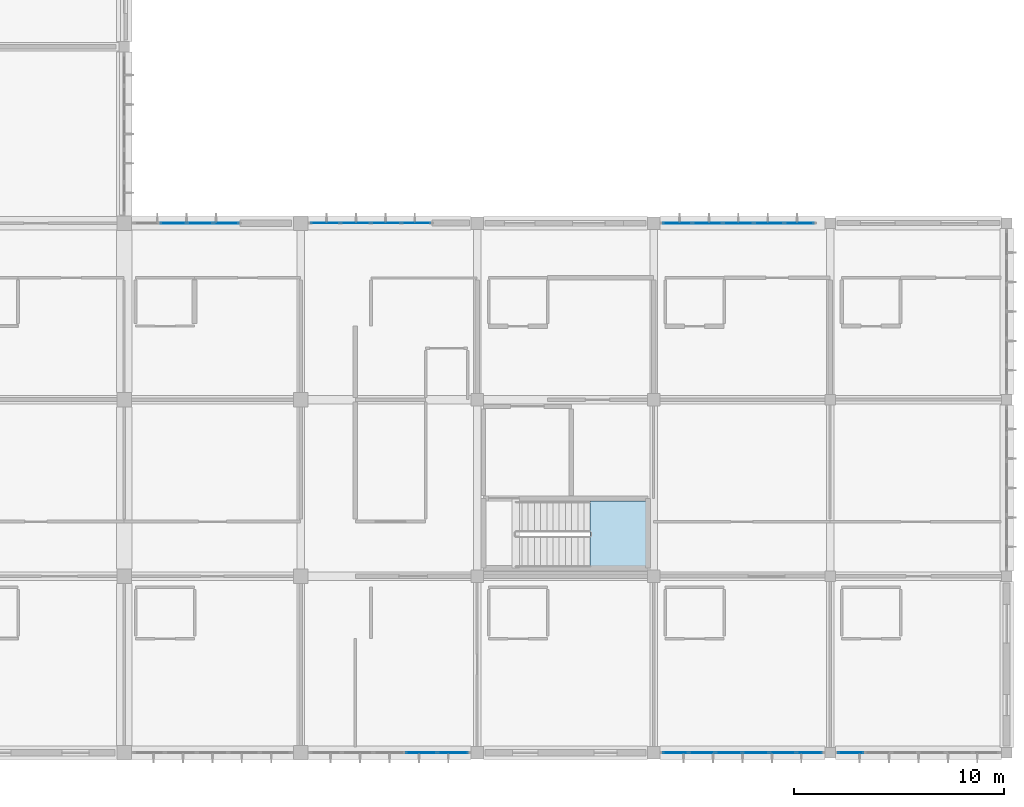
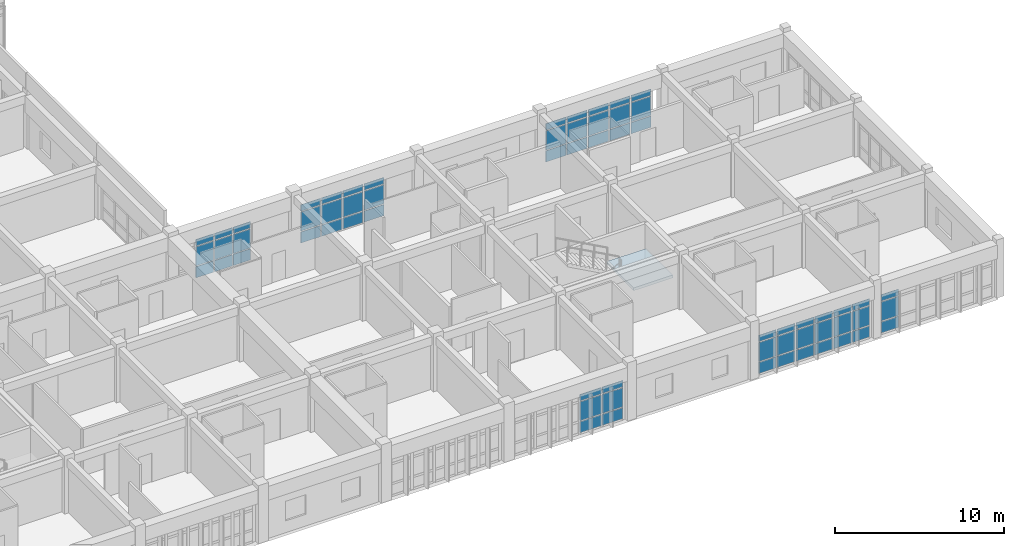
# One storey, part 69 of 119: 63 plates, 1 slab, 7 elements without a shape of their own.
"""IFC4 building model written with IfcOpenShell, lengths in metres."""

from ifc_helpers import new_model, si_unit, direction, frame, origin, origin_2d, place, context, subcontext, project, spatial, polyline, rectangle, outline, extrude, material, layer, layer_set, type_object, element, aggregate, save


model = new_model("IFC4")

# Units and contexts
model_context = context("Model", 3, precision=1e-05, world=origin(), true_north=direction((0.0, 1.0)))
body_context = subcontext(model_context, "Body", "Model", "MODEL_VIEW")
ifc_project = project(units=[si_unit("LENGTHUNIT", "METRE"), si_unit("AREAUNIT", "SQUARE_METRE"), si_unit("VOLUMEUNIT", "CUBIC_METRE"), si_unit("PLANEANGLEUNIT", "RADIAN"), si_unit("MASSUNIT", "GRAM", prefix="KILO")], contexts=[model_context])

# Site, building, storey
site_placement = place(None, origin())
site = spatial("IfcSite", under=ifc_project, at=site_placement, CompositionType="ELEMENT")
building_placement = place(site_placement, origin())
building = spatial("IfcBuilding", under=site, at=building_placement, Name="Bramfleet General Hospital", CompositionType="ELEMENT")
storey_placement = place(building_placement, frame((0.0, 0.0, 14.39990234375)))
storey = spatial("IfcBuildingStorey", under=building, at=storey_placement, Name="L03", CompositionType="ELEMENT", Elevation=14.39990234375)

# Curtain wall, plates
ifc_material_1 = material(Name="Anodised aluminium and low-E triple glazing", Category="aluminium")
ifc_layer_1 = layer(ifc_material_1, 0.179931640625, Name="CWT-CW-03")
ifc_layer_set_1 = layer_set([ifc_layer_1], Name="Anodised aluminium and low-E triple glazing")
curtain_wall_type_1 = type_object("IfcCurtainWallType", Name="CWT-CW-03", PredefinedType="USERDEFINED", material=ifc_layer_set_1)
curtain_wall_1_placement = place(storey_placement, origin())
curtain_wall_1 = element("IfcCurtainWall", 1, at=curtain_wall_1_placement, inside=storey, type_object=curtain_wall_type_1, Name="L03 Curtain Wall 165", ObjectType="Unitised curtain wall", PredefinedType="USERDEFINED")
ifc_material_2 = material(Name="Low-E laminated safety glass", Category="glass")
ifc_layer_2 = layer(ifc_material_2, 0.028076171875, Name="CWP-GLZ-1")
ifc_layer_set_2 = layer_set([ifc_layer_2], Name="Low-E laminated safety glass")
plate_type_1 = type_object("IfcPlateType", Name="CWP-GLZ-1", PredefinedType="CURTAIN_PANEL", material=ifc_layer_set_2)
plate_1_placement = place(storey_placement, frame((135.569580078125, 25.199951171875, 0.06494140625), z_axis=(0.0, 0.0, 1.0), x_axis=(1.0, 0.0, 0.0)))
plate_1 = element("IfcPlate", 2, at=plate_1_placement, type_object=plate_type_1, Name="CW-03 panel 1.1", PredefinedType="CURTAIN_PANEL", context=body_context, shape_type="SweptSolid", body=[
    extrude(rectangle(XDim=1.34912109375, YDim=0.028076171875, at=origin_2d()), origin(), (0.0, 0.0, 1.0), 0.802490234375),
])
plate_2_placement = place(storey_placement, frame((135.569580078125, 25.199951171875, 0.9326171875), z_axis=(0.0, 0.0, 1.0), x_axis=(1.0, 0.0, 0.0)))
plate_2 = element("IfcPlate", 3, at=plate_2_placement, type_object=plate_type_1, Name="CW-03 panel 1.2", PredefinedType="CURTAIN_PANEL", context=body_context, shape_type="SweptSolid", body=[
    extrude(rectangle(XDim=1.34912109375, YDim=0.028076171875, at=origin_2d()), origin(), (0.0, 0.0, 1.0), 1.375),
])
plate_3_placement = place(storey_placement, frame((135.569580078125, 25.199951171875, 2.37255859375), z_axis=(0.0, 0.0, 1.0), x_axis=(1.0, 0.0, 0.0)))
plate_3 = element("IfcPlate", 4, at=plate_3_placement, type_object=plate_type_1, Name="CW-03 panel 1.3", PredefinedType="CURTAIN_PANEL", context=body_context, shape_type="SweptSolid", body=[
    extrude(rectangle(XDim=1.34912109375, YDim=0.028076171875, at=origin_2d()), origin(), (0.0, 0.0, 1.0), 0.452392578125),
])
plate_4_placement = place(storey_placement, frame((137.006103515625, 25.199951171875, 0.06494140625), z_axis=(0.0, 0.0, 1.0), x_axis=(1.0, 0.0, 0.0)))
plate_4 = element("IfcPlate", 5, at=plate_4_placement, type_object=plate_type_1, Name="CW-03 panel 2.1", PredefinedType="CURTAIN_PANEL", context=body_context, shape_type="SweptSolid", body=[
    extrude(rectangle(XDim=1.384033203125, YDim=0.028076171875, at=origin_2d()), origin(), (0.0, 0.0, 1.0), 0.802490234375),
])
plate_5_placement = place(storey_placement, frame((137.006103515625, 25.199951171875, 0.9326171875), z_axis=(0.0, 0.0, 1.0), x_axis=(1.0, 0.0, 0.0)))
plate_5 = element("IfcPlate", 6, at=plate_5_placement, type_object=plate_type_1, Name="CW-03 panel 2.2", PredefinedType="CURTAIN_PANEL", context=body_context, shape_type="SweptSolid", body=[
    extrude(rectangle(XDim=1.384033203125, YDim=0.028076171875, at=origin_2d()), origin(), (0.0, 0.0, 1.0), 1.375),
])
plate_6_placement = place(storey_placement, frame((137.006103515625, 25.199951171875, 2.37255859375), z_axis=(0.0, 0.0, 1.0), x_axis=(1.0, 0.0, 0.0)))
plate_6 = element("IfcPlate", 7, at=plate_6_placement, type_object=plate_type_1, Name="CW-03 panel 2.3", PredefinedType="CURTAIN_PANEL", context=body_context, shape_type="SweptSolid", body=[
    extrude(rectangle(XDim=1.384033203125, YDim=0.028076171875, at=origin_2d()), origin(), (0.0, 0.0, 1.0), 0.452392578125),
])
plate_7_placement = place(storey_placement, frame((138.4599609375, 25.199951171875, 0.06494140625), z_axis=(0.0, 0.0, 1.0), x_axis=(1.0, 0.0, 0.0)))
plate_7 = element("IfcPlate", 8, at=plate_7_placement, type_object=plate_type_1, Name="CW-03 panel 3.1", PredefinedType="CURTAIN_PANEL", context=body_context, shape_type="SweptSolid", body=[
    extrude(rectangle(XDim=1.384033203125, YDim=0.028076171875, at=origin_2d()), origin(), (0.0, 0.0, 1.0), 0.802490234375),
])
plate_8_placement = place(storey_placement, frame((138.4599609375, 25.199951171875, 0.9326171875), z_axis=(0.0, 0.0, 1.0), x_axis=(1.0, 0.0, 0.0)))
plate_8 = element("IfcPlate", 9, at=plate_8_placement, type_object=plate_type_1, Name="CW-03 panel 3.2", PredefinedType="CURTAIN_PANEL", context=body_context, shape_type="SweptSolid", body=[
    extrude(rectangle(XDim=1.384033203125, YDim=0.028076171875, at=origin_2d()), origin(), (0.0, 0.0, 1.0), 1.375),
])
plate_9_placement = place(storey_placement, frame((138.4599609375, 25.199951171875, 2.37255859375), z_axis=(0.0, 0.0, 1.0), x_axis=(1.0, 0.0, 0.0)))
plate_9 = element("IfcPlate", 10, at=plate_9_placement, type_object=plate_type_1, Name="CW-03 panel 3.3", PredefinedType="CURTAIN_PANEL", context=body_context, shape_type="SweptSolid", body=[
    extrude(rectangle(XDim=1.384033203125, YDim=0.028076171875, at=origin_2d()), origin(), (0.0, 0.0, 1.0), 0.452392578125),
])
plate_10_placement = place(storey_placement, frame((139.896484375, 25.199951171875, 0.06494140625), z_axis=(0.0, 0.0, 1.0), x_axis=(1.0, 0.0, 0.0)))
plate_10 = element("IfcPlate", 11, at=plate_10_placement, type_object=plate_type_1, Name="CW-03 panel 4.1", PredefinedType="CURTAIN_PANEL", context=body_context, shape_type="SweptSolid", body=[
    extrude(rectangle(XDim=1.34912109375, YDim=0.028076171875, at=origin_2d()), origin(), (0.0, 0.0, 1.0), 0.802490234375),
])
plate_11_placement = place(storey_placement, frame((139.896484375, 25.199951171875, 0.9326171875), z_axis=(0.0, 0.0, 1.0), x_axis=(1.0, 0.0, 0.0)))
plate_11 = element("IfcPlate", 12, at=plate_11_placement, type_object=plate_type_1, Name="CW-03 panel 4.2", PredefinedType="CURTAIN_PANEL", context=body_context, shape_type="SweptSolid", body=[
    extrude(rectangle(XDim=1.34912109375, YDim=0.028076171875, at=origin_2d()), origin(), (0.0, 0.0, 1.0), 1.375),
])
plate_12_placement = place(storey_placement, frame((139.896484375, 25.199951171875, 2.37255859375), z_axis=(0.0, 0.0, 1.0), x_axis=(1.0, 0.0, 0.0)))
plate_12 = element("IfcPlate", 13, at=plate_12_placement, type_object=plate_type_1, Name="CW-03 panel 4.3", PredefinedType="CURTAIN_PANEL", context=body_context, shape_type="SweptSolid", body=[
    extrude(rectangle(XDim=1.34912109375, YDim=0.028076171875, at=origin_2d()), origin(), (0.0, 0.0, 1.0), 0.452392578125),
])
aggregate(curtain_wall_1, [plate_1, plate_2, plate_3, plate_4, plate_5, plate_6, plate_7, plate_8, plate_9, plate_10, plate_11, plate_12])

ifc_layer_3 = layer(ifc_material_1, 0.179931640625, Name="CWT-CW-07")
ifc_layer_set_3 = layer_set([ifc_layer_3], Name="Anodised aluminium and low-E triple glazing")
curtain_wall_type_2 = type_object("IfcCurtainWallType", Name="CWT-CW-07", PredefinedType="USERDEFINED", material=ifc_layer_set_3)
curtain_wall_2_placement = place(storey_placement, origin())
curtain_wall_2 = element("IfcCurtainWall", 14, at=curtain_wall_2_placement, inside=storey, type_object=curtain_wall_type_2, Name="L03 Curtain Wall 169", ObjectType="Unitised curtain wall", PredefinedType="USERDEFINED")
plate_13_placement = place(storey_placement, frame((160.58837890625, 0.0, 0.06494140625), z_axis=(0.0, 0.0, 1.0), x_axis=(-1.0, 0.0, 0.0)))
plate_13 = element("IfcPlate", 15, at=plate_13_placement, type_object=plate_type_1, Name="CW-07 panel 6.1", PredefinedType="CURTAIN_PANEL", context=body_context, shape_type="SweptSolid", body=[
    extrude(rectangle(XDim=1.186767578125, YDim=0.028076171875, at=origin_2d()), origin(), (0.0, 0.0, 1.0), 0.802490234375),
])
plate_14_placement = place(storey_placement, frame((160.58837890625, 0.0, 0.9326171875), z_axis=(0.0, 0.0, 1.0), x_axis=(-1.0, 0.0, 0.0)))
plate_14 = element("IfcPlate", 16, at=plate_14_placement, type_object=plate_type_1, Name="CW-07 panel 6.2", PredefinedType="CURTAIN_PANEL", context=body_context, shape_type="SweptSolid", body=[
    extrude(rectangle(XDim=1.186767578125, YDim=0.028076171875, at=origin_2d()), origin(), (0.0, 0.0, 1.0), 1.375),
])
plate_15_placement = place(storey_placement, frame((160.58837890625, 0.0, 2.37255859375), z_axis=(0.0, 0.0, 1.0), x_axis=(-1.0, 0.0, 0.0)))
plate_15 = element("IfcPlate", 17, at=plate_15_placement, type_object=plate_type_1, Name="CW-07 panel 6.3", PredefinedType="CURTAIN_PANEL", context=body_context, shape_type="SweptSolid", body=[
    extrude(rectangle(XDim=1.186767578125, YDim=0.028076171875, at=origin_2d()), origin(), (0.0, 0.0, 1.0), 0.452392578125),
])
aggregate(curtain_wall_2, [plate_13, plate_14, plate_15])

ifc_layer_4 = layer(ifc_material_1, 0.179931640625, Name="CWT-CW-04")
ifc_layer_set_4 = layer_set([ifc_layer_4], Name="Anodised aluminium and low-E triple glazing")
curtain_wall_type_3 = type_object("IfcCurtainWallType", Name="CWT-CW-04", PredefinedType="USERDEFINED", material=ifc_layer_set_4)
curtain_wall_3_placement = place(storey_placement, origin())
curtain_wall_3 = element("IfcCurtainWall", 18, at=curtain_wall_3_placement, inside=storey, type_object=curtain_wall_type_3, Name="L03 Curtain Wall 166", ObjectType="Unitised curtain wall", PredefinedType="USERDEFINED")
ifc_layer_5 = layer(ifc_material_2, 0.031982421875, Name="CWP-GLZ-2")
ifc_layer_set_5 = layer_set([ifc_layer_5], Name="Low-E laminated safety glass")
plate_type_2 = type_object("IfcPlateType", Name="CWP-GLZ-2", PredefinedType="CURTAIN_PANEL", material=ifc_layer_set_5)
plate_16_placement = place(storey_placement, frame((152.322998046875, 25.199951171875, 0.06494140625), z_axis=(0.0, 0.0, 1.0), x_axis=(1.0, 0.0, 0.0)))
plate_16 = element("IfcPlate", 19, at=plate_16_placement, type_object=plate_type_2, Name="CW-04 panel 1.1", PredefinedType="CURTAIN_PANEL", context=body_context, shape_type="SweptSolid", body=[
    extrude(rectangle(XDim=1.35595703125, YDim=0.031982421875, at=origin_2d()), origin(), (0.0, 0.0, 1.0), 0.802490234375),
])
plate_17_placement = place(storey_placement, frame((152.322998046875, 25.199951171875, 0.9326171875), z_axis=(0.0, 0.0, 1.0), x_axis=(1.0, 0.0, 0.0)))
plate_17 = element("IfcPlate", 20, at=plate_17_placement, type_object=plate_type_2, Name="CW-04 panel 1.2", PredefinedType="CURTAIN_PANEL", context=body_context, shape_type="SweptSolid", body=[
    extrude(rectangle(XDim=1.35595703125, YDim=0.031982421875, at=origin_2d()), origin(), (0.0, 0.0, 1.0), 1.375),
])
plate_18_placement = place(storey_placement, frame((152.322998046875, 25.199951171875, 2.37255859375), z_axis=(0.0, 0.0, 1.0), x_axis=(1.0, 0.0, 0.0)))
plate_18 = element("IfcPlate", 21, at=plate_18_placement, type_object=plate_type_2, Name="CW-04 panel 1.3", PredefinedType="CURTAIN_PANEL", context=body_context, shape_type="SweptSolid", body=[
    extrude(rectangle(XDim=1.35595703125, YDim=0.031982421875, at=origin_2d()), origin(), (0.0, 0.0, 1.0), 0.452392578125),
])
plate_19_placement = place(storey_placement, frame((153.7666015625, 25.199951171875, 0.06494140625), z_axis=(0.0, 0.0, 1.0), x_axis=(1.0, 0.0, 0.0)))
plate_19 = element("IfcPlate", 22, at=plate_19_placement, type_object=plate_type_2, Name="CW-04 panel 2.1", PredefinedType="CURTAIN_PANEL", context=body_context, shape_type="SweptSolid", body=[
    extrude(rectangle(XDim=1.39111328125, YDim=0.031982421875, at=origin_2d()), origin(), (0.0, 0.0, 1.0), 0.802490234375),
])
plate_20_placement = place(storey_placement, frame((153.7666015625, 25.199951171875, 0.9326171875), z_axis=(0.0, 0.0, 1.0), x_axis=(1.0, 0.0, 0.0)))
plate_20 = element("IfcPlate", 23, at=plate_20_placement, type_object=plate_type_2, Name="CW-04 panel 2.2", PredefinedType="CURTAIN_PANEL", context=body_context, shape_type="SweptSolid", body=[
    extrude(rectangle(XDim=1.39111328125, YDim=0.031982421875, at=origin_2d()), origin(), (0.0, 0.0, 1.0), 1.375),
])
plate_21_placement = place(storey_placement, frame((153.7666015625, 25.199951171875, 2.37255859375), z_axis=(0.0, 0.0, 1.0), x_axis=(1.0, 0.0, 0.0)))
plate_21 = element("IfcPlate", 24, at=plate_21_placement, type_object=plate_type_2, Name="CW-04 panel 2.3", PredefinedType="CURTAIN_PANEL", context=body_context, shape_type="SweptSolid", body=[
    extrude(rectangle(XDim=1.39111328125, YDim=0.031982421875, at=origin_2d()), origin(), (0.0, 0.0, 1.0), 0.452392578125),
])
plate_22_placement = place(storey_placement, frame((155.2275390625, 25.199951171875, 0.06494140625), z_axis=(0.0, 0.0, 1.0), x_axis=(1.0, 0.0, 0.0)))
plate_22 = element("IfcPlate", 25, at=plate_22_placement, type_object=plate_type_2, Name="CW-04 panel 3.1", PredefinedType="CURTAIN_PANEL", context=body_context, shape_type="SweptSolid", body=[
    extrude(rectangle(XDim=1.39111328125, YDim=0.031982421875, at=origin_2d()), origin(), (0.0, 0.0, 1.0), 0.802490234375),
])
plate_23_placement = place(storey_placement, frame((155.2275390625, 25.199951171875, 0.9326171875), z_axis=(0.0, 0.0, 1.0), x_axis=(1.0, 0.0, 0.0)))
plate_23 = element("IfcPlate", 26, at=plate_23_placement, type_object=plate_type_2, Name="CW-04 panel 3.2", PredefinedType="CURTAIN_PANEL", context=body_context, shape_type="SweptSolid", body=[
    extrude(rectangle(XDim=1.39111328125, YDim=0.031982421875, at=origin_2d()), origin(), (0.0, 0.0, 1.0), 1.375),
])
plate_24_placement = place(storey_placement, frame((155.2275390625, 25.199951171875, 2.37255859375), z_axis=(0.0, 0.0, 1.0), x_axis=(1.0, 0.0, 0.0)))
plate_24 = element("IfcPlate", 27, at=plate_24_placement, type_object=plate_type_2, Name="CW-04 panel 3.3", PredefinedType="CURTAIN_PANEL", context=body_context, shape_type="SweptSolid", body=[
    extrude(rectangle(XDim=1.39111328125, YDim=0.031982421875, at=origin_2d()), origin(), (0.0, 0.0, 1.0), 0.452392578125),
])
plate_25_placement = place(storey_placement, frame((156.6884765625, 25.199951171875, 0.06494140625), z_axis=(0.0, 0.0, 1.0), x_axis=(1.0, 0.0, 0.0)))
plate_25 = element("IfcPlate", 28, at=plate_25_placement, type_object=plate_type_2, Name="CW-04 panel 4.1", PredefinedType="CURTAIN_PANEL", context=body_context, shape_type="SweptSolid", body=[
    extrude(rectangle(XDim=1.39111328125, YDim=0.031982421875, at=origin_2d()), origin(), (0.0, 0.0, 1.0), 0.802490234375),
])
plate_26_placement = place(storey_placement, frame((156.6884765625, 25.199951171875, 0.9326171875), z_axis=(0.0, 0.0, 1.0), x_axis=(1.0, 0.0, 0.0)))
plate_26 = element("IfcPlate", 29, at=plate_26_placement, type_object=plate_type_2, Name="CW-04 panel 4.2", PredefinedType="CURTAIN_PANEL", context=body_context, shape_type="SweptSolid", body=[
    extrude(rectangle(XDim=1.39111328125, YDim=0.031982421875, at=origin_2d()), origin(), (0.0, 0.0, 1.0), 1.375),
])
plate_27_placement = place(storey_placement, frame((156.6884765625, 25.199951171875, 2.37255859375), z_axis=(0.0, 0.0, 1.0), x_axis=(1.0, 0.0, 0.0)))
plate_27 = element("IfcPlate", 30, at=plate_27_placement, type_object=plate_type_2, Name="CW-04 panel 4.3", PredefinedType="CURTAIN_PANEL", context=body_context, shape_type="SweptSolid", body=[
    extrude(rectangle(XDim=1.39111328125, YDim=0.031982421875, at=origin_2d()), origin(), (0.0, 0.0, 1.0), 0.452392578125),
])
plate_28_placement = place(storey_placement, frame((158.132080078125, 25.199951171875, 0.06494140625), z_axis=(0.0, 0.0, 1.0), x_axis=(1.0, 0.0, 0.0)))
plate_28 = element("IfcPlate", 31, at=plate_28_placement, type_object=plate_type_2, Name="CW-04 panel 5.1", PredefinedType="CURTAIN_PANEL", context=body_context, shape_type="SweptSolid", body=[
    extrude(rectangle(XDim=1.35595703125, YDim=0.031982421875, at=origin_2d()), origin(), (0.0, 0.0, 1.0), 0.802490234375),
])
plate_29_placement = place(storey_placement, frame((158.132080078125, 25.199951171875, 0.9326171875), z_axis=(0.0, 0.0, 1.0), x_axis=(1.0, 0.0, 0.0)))
plate_29 = element("IfcPlate", 32, at=plate_29_placement, type_object=plate_type_2, Name="CW-04 panel 5.2", PredefinedType="CURTAIN_PANEL", context=body_context, shape_type="SweptSolid", body=[
    extrude(rectangle(XDim=1.35595703125, YDim=0.031982421875, at=origin_2d()), origin(), (0.0, 0.0, 1.0), 1.375),
])
plate_30_placement = place(storey_placement, frame((158.132080078125, 25.199951171875, 2.37255859375), z_axis=(0.0, 0.0, 1.0), x_axis=(1.0, 0.0, 0.0)))
plate_30 = element("IfcPlate", 33, at=plate_30_placement, type_object=plate_type_2, Name="CW-04 panel 5.3", PredefinedType="CURTAIN_PANEL", context=body_context, shape_type="SweptSolid", body=[
    extrude(rectangle(XDim=1.35595703125, YDim=0.031982421875, at=origin_2d()), origin(), (0.0, 0.0, 1.0), 0.452392578125),
])
aggregate(curtain_wall_3, [plate_16, plate_17, plate_18, plate_19, plate_20, plate_21, plate_22, plate_23, plate_24, plate_25, plate_26, plate_27, plate_28, plate_29, plate_30])

ifc_layer_6 = layer(ifc_material_1, 0.179931640625, Name="CWT-CW-08")
ifc_layer_set_6 = layer_set([ifc_layer_6], Name="Anodised aluminium and low-E triple glazing")
curtain_wall_type_4 = type_object("IfcCurtainWallType", Name="CWT-CW-08", PredefinedType="USERDEFINED", material=ifc_layer_set_6)
curtain_wall_4_placement = place(storey_placement, origin())
curtain_wall_4 = element("IfcCurtainWall", 34, at=curtain_wall_4_placement, inside=storey, type_object=curtain_wall_type_4, Name="L03 Curtain Wall 170", ObjectType="Unitised curtain wall", PredefinedType="USERDEFINED")
plate_31_placement = place(storey_placement, frame((158.61572265625, 0.0, 0.06494140625), z_axis=(0.0, 0.0, 1.0), x_axis=(-1.0, 0.0, 0.0)))
plate_31 = element("IfcPlate", 35, at=plate_31_placement, type_object=plate_type_2, Name="CW-08 panel 1.1", PredefinedType="CURTAIN_PANEL", context=body_context, shape_type="SweptSolid", body=[
    extrude(rectangle(XDim=1.17822265625, YDim=0.031982421875, at=origin_2d()), origin(), (0.0, 0.0, 1.0), 0.802490234375),
])
plate_32_placement = place(storey_placement, frame((158.61572265625, 0.0, 0.9326171875), z_axis=(0.0, 0.0, 1.0), x_axis=(-1.0, 0.0, 0.0)))
plate_32 = element("IfcPlate", 36, at=plate_32_placement, type_object=plate_type_2, Name="CW-08 panel 1.2", PredefinedType="CURTAIN_PANEL", context=body_context, shape_type="SweptSolid", body=[
    extrude(rectangle(XDim=1.17822265625, YDim=0.031982421875, at=origin_2d()), origin(), (0.0, 0.0, 1.0), 1.375),
])
plate_33_placement = place(storey_placement, frame((158.61572265625, 0.0, 2.37255859375), z_axis=(0.0, 0.0, 1.0), x_axis=(-1.0, 0.0, 0.0)))
plate_33 = element("IfcPlate", 37, at=plate_33_placement, type_object=plate_type_2, Name="CW-08 panel 1.3", PredefinedType="CURTAIN_PANEL", context=body_context, shape_type="SweptSolid", body=[
    extrude(rectangle(XDim=1.17822265625, YDim=0.031982421875, at=origin_2d()), origin(), (0.0, 0.0, 1.0), 0.452392578125),
])
plate_34_placement = place(storey_placement, frame((157.35009765625, 0.0, 0.06494140625), z_axis=(0.0, 0.0, 1.0), x_axis=(-1.0, 0.0, 0.0)))
plate_34 = element("IfcPlate", 38, at=plate_34_placement, type_object=plate_type_2, Name="CW-08 panel 2.1", PredefinedType="CURTAIN_PANEL", context=body_context, shape_type="SweptSolid", body=[
    extrude(rectangle(XDim=1.21337890625, YDim=0.031982421875, at=origin_2d()), origin(), (0.0, 0.0, 1.0), 0.802490234375),
])
plate_35_placement = place(storey_placement, frame((157.35009765625, 0.0, 0.9326171875), z_axis=(0.0, 0.0, 1.0), x_axis=(-1.0, 0.0, 0.0)))
plate_35 = element("IfcPlate", 39, at=plate_35_placement, type_object=plate_type_2, Name="CW-08 panel 2.2", PredefinedType="CURTAIN_PANEL", context=body_context, shape_type="SweptSolid", body=[
    extrude(rectangle(XDim=1.21337890625, YDim=0.031982421875, at=origin_2d()), origin(), (0.0, 0.0, 1.0), 1.375),
])
plate_36_placement = place(storey_placement, frame((157.35009765625, 0.0, 2.37255859375), z_axis=(0.0, 0.0, 1.0), x_axis=(-1.0, 0.0, 0.0)))
plate_36 = element("IfcPlate", 40, at=plate_36_placement, type_object=plate_type_2, Name="CW-08 panel 2.3", PredefinedType="CURTAIN_PANEL", context=body_context, shape_type="SweptSolid", body=[
    extrude(rectangle(XDim=1.21337890625, YDim=0.031982421875, at=origin_2d()), origin(), (0.0, 0.0, 1.0), 0.452392578125),
])
plate_37_placement = place(storey_placement, frame((156.066650390625, 0.0, 0.06494140625), z_axis=(0.0, 0.0, 1.0), x_axis=(-1.0, 0.0, 0.0)))
plate_37 = element("IfcPlate", 41, at=plate_37_placement, type_object=plate_type_2, Name="CW-08 panel 3.1", PredefinedType="CURTAIN_PANEL", context=body_context, shape_type="SweptSolid", body=[
    extrude(rectangle(XDim=1.21337890625, YDim=0.031982421875, at=origin_2d()), origin(), (0.0, 0.0, 1.0), 0.802490234375),
])
plate_38_placement = place(storey_placement, frame((156.066650390625, 0.0, 0.9326171875), z_axis=(0.0, 0.0, 1.0), x_axis=(-1.0, 0.0, 0.0)))
plate_38 = element("IfcPlate", 42, at=plate_38_placement, type_object=plate_type_2, Name="CW-08 panel 3.2", PredefinedType="CURTAIN_PANEL", context=body_context, shape_type="SweptSolid", body=[
    extrude(rectangle(XDim=1.21337890625, YDim=0.031982421875, at=origin_2d()), origin(), (0.0, 0.0, 1.0), 1.375),
])
plate_39_placement = place(storey_placement, frame((156.066650390625, 0.0, 2.37255859375), z_axis=(0.0, 0.0, 1.0), x_axis=(-1.0, 0.0, 0.0)))
plate_39 = element("IfcPlate", 43, at=plate_39_placement, type_object=plate_type_2, Name="CW-08 panel 3.3", PredefinedType="CURTAIN_PANEL", context=body_context, shape_type="SweptSolid", body=[
    extrude(rectangle(XDim=1.21337890625, YDim=0.031982421875, at=origin_2d()), origin(), (0.0, 0.0, 1.0), 0.452392578125),
])
plate_40_placement = place(storey_placement, frame((154.783447265625, 0.0, 0.06494140625), z_axis=(0.0, 0.0, 1.0), x_axis=(-1.0, 0.0, 0.0)))
plate_40 = element("IfcPlate", 44, at=plate_40_placement, type_object=plate_type_2, Name="CW-08 panel 4.1", PredefinedType="CURTAIN_PANEL", context=body_context, shape_type="SweptSolid", body=[
    extrude(rectangle(XDim=1.21337890625, YDim=0.031982421875, at=origin_2d()), origin(), (0.0, 0.0, 1.0), 0.802490234375),
])
plate_41_placement = place(storey_placement, frame((154.783447265625, 0.0, 0.9326171875), z_axis=(0.0, 0.0, 1.0), x_axis=(-1.0, 0.0, 0.0)))
plate_41 = element("IfcPlate", 45, at=plate_41_placement, type_object=plate_type_2, Name="CW-08 panel 4.2", PredefinedType="CURTAIN_PANEL", context=body_context, shape_type="SweptSolid", body=[
    extrude(rectangle(XDim=1.21337890625, YDim=0.031982421875, at=origin_2d()), origin(), (0.0, 0.0, 1.0), 1.375),
])
plate_42_placement = place(storey_placement, frame((154.783447265625, 0.0, 2.37255859375), z_axis=(0.0, 0.0, 1.0), x_axis=(-1.0, 0.0, 0.0)))
plate_42 = element("IfcPlate", 46, at=plate_42_placement, type_object=plate_type_2, Name="CW-08 panel 4.3", PredefinedType="CURTAIN_PANEL", context=body_context, shape_type="SweptSolid", body=[
    extrude(rectangle(XDim=1.21337890625, YDim=0.031982421875, at=origin_2d()), origin(), (0.0, 0.0, 1.0), 0.452392578125),
])
plate_43_placement = place(storey_placement, frame((153.5, 0.0, 0.06494140625), z_axis=(0.0, 0.0, 1.0), x_axis=(-1.0, 0.0, 0.0)))
plate_43 = element("IfcPlate", 47, at=plate_43_placement, type_object=plate_type_2, Name="CW-08 panel 5.1", PredefinedType="CURTAIN_PANEL", context=body_context, shape_type="SweptSolid", body=[
    extrude(rectangle(XDim=1.21337890625, YDim=0.031982421875, at=origin_2d()), origin(), (0.0, 0.0, 1.0), 0.802490234375),
])
plate_44_placement = place(storey_placement, frame((153.5, 0.0, 0.9326171875), z_axis=(0.0, 0.0, 1.0), x_axis=(-1.0, 0.0, 0.0)))
plate_44 = element("IfcPlate", 48, at=plate_44_placement, type_object=plate_type_2, Name="CW-08 panel 5.2", PredefinedType="CURTAIN_PANEL", context=body_context, shape_type="SweptSolid", body=[
    extrude(rectangle(XDim=1.21337890625, YDim=0.031982421875, at=origin_2d()), origin(), (0.0, 0.0, 1.0), 1.375),
])
plate_45_placement = place(storey_placement, frame((153.5, 0.0, 2.37255859375), z_axis=(0.0, 0.0, 1.0), x_axis=(-1.0, 0.0, 0.0)))
plate_45 = element("IfcPlate", 49, at=plate_45_placement, type_object=plate_type_2, Name="CW-08 panel 5.3", PredefinedType="CURTAIN_PANEL", context=body_context, shape_type="SweptSolid", body=[
    extrude(rectangle(XDim=1.21337890625, YDim=0.031982421875, at=origin_2d()), origin(), (0.0, 0.0, 1.0), 0.452392578125),
])
plate_46_placement = place(storey_placement, frame((152.234130859375, 0.0, 0.06494140625), z_axis=(0.0, 0.0, 1.0), x_axis=(-1.0, 0.0, 0.0)))
plate_46 = element("IfcPlate", 50, at=plate_46_placement, type_object=plate_type_2, Name="CW-08 panel 6.1", PredefinedType="CURTAIN_PANEL", context=body_context, shape_type="SweptSolid", body=[
    extrude(rectangle(XDim=1.17822265625, YDim=0.031982421875, at=origin_2d()), origin(), (0.0, 0.0, 1.0), 0.802490234375),
])
plate_47_placement = place(storey_placement, frame((152.234130859375, 0.0, 0.9326171875), z_axis=(0.0, 0.0, 1.0), x_axis=(-1.0, 0.0, 0.0)))
plate_47 = element("IfcPlate", 51, at=plate_47_placement, type_object=plate_type_2, Name="CW-08 panel 6.2", PredefinedType="CURTAIN_PANEL", context=body_context, shape_type="SweptSolid", body=[
    extrude(rectangle(XDim=1.17822265625, YDim=0.031982421875, at=origin_2d()), origin(), (0.0, 0.0, 1.0), 1.375),
])
plate_48_placement = place(storey_placement, frame((152.234130859375, 0.0, 2.37255859375), z_axis=(0.0, 0.0, 1.0), x_axis=(-1.0, 0.0, 0.0)))
plate_48 = element("IfcPlate", 52, at=plate_48_placement, type_object=plate_type_2, Name="CW-08 panel 6.3", PredefinedType="CURTAIN_PANEL", context=body_context, shape_type="SweptSolid", body=[
    extrude(rectangle(XDim=1.17822265625, YDim=0.031982421875, at=origin_2d()), origin(), (0.0, 0.0, 1.0), 0.452392578125),
])
aggregate(curtain_wall_4, [plate_31, plate_32, plate_33, plate_34, plate_35, plate_36, plate_37, plate_38, plate_39, plate_40, plate_41, plate_42, plate_43, plate_44, plate_45, plate_46, plate_47, plate_48])

ifc_layer_7 = layer(ifc_material_1, 0.179931640625, Name="CWT-CW-09")
ifc_layer_set_7 = layer_set([ifc_layer_7], Name="Anodised aluminium and low-E triple glazing")
curtain_wall_type_5 = type_object("IfcCurtainWallType", Name="CWT-CW-09", PredefinedType="USERDEFINED", material=ifc_layer_set_7)
curtain_wall_5_placement = place(storey_placement, origin())
curtain_wall_5 = element("IfcCurtainWall", 53, at=curtain_wall_5_placement, inside=storey, type_object=curtain_wall_type_5, Name="L03 Curtain Wall 171", ObjectType="Unitised curtain wall", PredefinedType="USERDEFINED")
ifc_layer_8 = layer(ifc_material_2, 0.035888671875, Name="CWP-GLZ-3")
ifc_layer_set_8 = layer_set([ifc_layer_8], Name="Low-E laminated safety glass")
plate_type_3 = type_object("IfcPlateType", Name="CWP-GLZ-3", PredefinedType="CURTAIN_PANEL", material=ifc_layer_set_8)
plate_49_placement = place(storey_placement, frame((141.6474609375, 0.0, 0.06494140625), z_axis=(0.0, 0.0, 1.0), x_axis=(-1.0, 0.0, 0.0)))
plate_49 = element("IfcPlate", 54, at=plate_49_placement, type_object=plate_type_3, Name="CW-09 panel 1.1", PredefinedType="CURTAIN_PANEL", context=body_context, shape_type="SweptSolid", body=[
    extrude(rectangle(XDim=1.4150390625, YDim=0.035888671875, at=origin_2d()), origin(), (0.0, 0.0, 1.0), 0.802490234375),
])
plate_50_placement = place(storey_placement, frame((141.6474609375, 0.0, 0.9326171875), z_axis=(0.0, 0.0, 1.0), x_axis=(-1.0, 0.0, 0.0)))
plate_50 = element("IfcPlate", 55, at=plate_50_placement, type_object=plate_type_3, Name="CW-09 panel 1.2", PredefinedType="CURTAIN_PANEL", context=body_context, shape_type="SweptSolid", body=[
    extrude(rectangle(XDim=1.4150390625, YDim=0.035888671875, at=origin_2d()), origin(), (0.0, 0.0, 1.0), 1.375),
])
plate_51_placement = place(storey_placement, frame((141.6474609375, 0.0, 2.37255859375), z_axis=(0.0, 0.0, 1.0), x_axis=(-1.0, 0.0, 0.0)))
plate_51 = element("IfcPlate", 56, at=plate_51_placement, type_object=plate_type_3, Name="CW-09 panel 1.3", PredefinedType="CURTAIN_PANEL", context=body_context, shape_type="SweptSolid", body=[
    extrude(rectangle(XDim=1.4150390625, YDim=0.035888671875, at=origin_2d()), origin(), (0.0, 0.0, 1.0), 0.452392578125),
])
plate_52_placement = place(storey_placement, frame((140.14501953125, 0.0, 0.06494140625), z_axis=(0.0, 0.0, 1.0), x_axis=(-1.0, 0.0, 0.0)))
plate_52 = element("IfcPlate", 57, at=plate_52_placement, type_object=plate_type_3, Name="CW-09 panel 2.1", PredefinedType="CURTAIN_PANEL", context=body_context, shape_type="SweptSolid", body=[
    extrude(rectangle(XDim=1.449951171875, YDim=0.035888671875, at=origin_2d()), origin(), (0.0, 0.0, 1.0), 0.802490234375),
])
plate_53_placement = place(storey_placement, frame((140.14501953125, 0.0, 0.9326171875), z_axis=(0.0, 0.0, 1.0), x_axis=(-1.0, 0.0, 0.0)))
plate_53 = element("IfcPlate", 58, at=plate_53_placement, type_object=plate_type_3, Name="CW-09 panel 2.2", PredefinedType="CURTAIN_PANEL", context=body_context, shape_type="SweptSolid", body=[
    extrude(rectangle(XDim=1.449951171875, YDim=0.035888671875, at=origin_2d()), origin(), (0.0, 0.0, 1.0), 1.375),
])
plate_54_placement = place(storey_placement, frame((140.14501953125, 0.0, 2.37255859375), z_axis=(0.0, 0.0, 1.0), x_axis=(-1.0, 0.0, 0.0)))
plate_54 = element("IfcPlate", 59, at=plate_54_placement, type_object=plate_type_3, Name="CW-09 panel 2.3", PredefinedType="CURTAIN_PANEL", context=body_context, shape_type="SweptSolid", body=[
    extrude(rectangle(XDim=1.449951171875, YDim=0.035888671875, at=origin_2d()), origin(), (0.0, 0.0, 1.0), 0.452392578125),
])
aggregate(curtain_wall_5, [plate_49, plate_50, plate_51, plate_52, plate_53, plate_54])

ifc_layer_9 = layer(ifc_material_1, 0.179931640625, Name="CWT-CW-02")
ifc_layer_set_9 = layer_set([ifc_layer_9], Name="Anodised aluminium and low-E triple glazing")
curtain_wall_type_6 = type_object("IfcCurtainWallType", Name="CWT-CW-02", PredefinedType="USERDEFINED", material=ifc_layer_set_9)
curtain_wall_6_placement = place(storey_placement, origin())
curtain_wall_6 = element("IfcCurtainWall", 60, at=curtain_wall_6_placement, inside=storey, type_object=curtain_wall_type_6, Name="L03 Curtain Wall 164", ObjectType="Unitised curtain wall", PredefinedType="USERDEFINED")
ifc_layer_10 = layer(ifc_material_2, 0.0419921875, Name="CWP-GLZ-4")
ifc_layer_set_10 = layer_set([ifc_layer_10], Name="Low-E laminated safety glass")
plate_type_4 = type_object("IfcPlateType", Name="CWP-GLZ-4", PredefinedType="CURTAIN_PANEL", material=ifc_layer_set_10)
plate_55_placement = place(storey_placement, frame((128.3359375, 25.199951171875, 0.06494140625), z_axis=(0.0, 0.0, 1.0), x_axis=(1.0, 0.0, 0.0)))
plate_55 = element("IfcPlate", 61, at=plate_55_placement, type_object=plate_type_4, Name="CW-02 panel 2.1", PredefinedType="CURTAIN_PANEL", context=body_context, shape_type="SweptSolid", body=[
    extrude(rectangle(XDim=1.2041015625, YDim=0.0419921875, at=origin_2d()), origin(), (0.0, 0.0, 1.0), 0.802490234375),
])
plate_56_placement = place(storey_placement, frame((128.3359375, 25.199951171875, 0.9326171875), z_axis=(0.0, 0.0, 1.0), x_axis=(1.0, 0.0, 0.0)))
plate_56 = element("IfcPlate", 62, at=plate_56_placement, type_object=plate_type_4, Name="CW-02 panel 2.2", PredefinedType="CURTAIN_PANEL", context=body_context, shape_type="SweptSolid", body=[
    extrude(rectangle(XDim=1.2041015625, YDim=0.0419921875, at=origin_2d()), origin(), (0.0, 0.0, 1.0), 1.375),
])
plate_57_placement = place(storey_placement, frame((128.3359375, 25.199951171875, 2.37255859375), z_axis=(0.0, 0.0, 1.0), x_axis=(1.0, 0.0, 0.0)))
plate_57 = element("IfcPlate", 63, at=plate_57_placement, type_object=plate_type_4, Name="CW-02 panel 2.3", PredefinedType="CURTAIN_PANEL", context=body_context, shape_type="SweptSolid", body=[
    extrude(rectangle(XDim=1.2041015625, YDim=0.0419921875, at=origin_2d()), origin(), (0.0, 0.0, 1.0), 0.452392578125),
])
plate_58_placement = place(storey_placement, frame((129.610107421875, 25.199951171875, 0.06494140625), z_axis=(0.0, 0.0, 1.0), x_axis=(1.0, 0.0, 0.0)))
plate_58 = element("IfcPlate", 64, at=plate_58_placement, type_object=plate_type_4, Name="CW-02 panel 3.1", PredefinedType="CURTAIN_PANEL", context=body_context, shape_type="SweptSolid", body=[
    extrude(rectangle(XDim=1.2041015625, YDim=0.0419921875, at=origin_2d()), origin(), (0.0, 0.0, 1.0), 0.802490234375),
])
plate_59_placement = place(storey_placement, frame((129.610107421875, 25.199951171875, 0.9326171875), z_axis=(0.0, 0.0, 1.0), x_axis=(1.0, 0.0, 0.0)))
plate_59 = element("IfcPlate", 65, at=plate_59_placement, type_object=plate_type_4, Name="CW-02 panel 3.2", PredefinedType="CURTAIN_PANEL", context=body_context, shape_type="SweptSolid", body=[
    extrude(rectangle(XDim=1.2041015625, YDim=0.0419921875, at=origin_2d()), origin(), (0.0, 0.0, 1.0), 1.375),
])
plate_60_placement = place(storey_placement, frame((129.610107421875, 25.199951171875, 2.37255859375), z_axis=(0.0, 0.0, 1.0), x_axis=(1.0, 0.0, 0.0)))
plate_60 = element("IfcPlate", 66, at=plate_60_placement, type_object=plate_type_4, Name="CW-02 panel 3.3", PredefinedType="CURTAIN_PANEL", context=body_context, shape_type="SweptSolid", body=[
    extrude(rectangle(XDim=1.2041015625, YDim=0.0419921875, at=origin_2d()), origin(), (0.0, 0.0, 1.0), 0.452392578125),
])
plate_61_placement = place(storey_placement, frame((130.866455078125, 25.199951171875, 0.06494140625), z_axis=(0.0, 0.0, 1.0), x_axis=(1.0, 0.0, 0.0)))
plate_61 = element("IfcPlate", 67, at=plate_61_placement, type_object=plate_type_4, Name="CW-02 panel 4.1", PredefinedType="CURTAIN_PANEL", context=body_context, shape_type="SweptSolid", body=[
    extrude(rectangle(XDim=1.1689453125, YDim=0.0419921875, at=origin_2d()), origin(), (0.0, 0.0, 1.0), 0.802490234375),
])
plate_62_placement = place(storey_placement, frame((130.866455078125, 25.199951171875, 0.9326171875), z_axis=(0.0, 0.0, 1.0), x_axis=(1.0, 0.0, 0.0)))
plate_62 = element("IfcPlate", 68, at=plate_62_placement, type_object=plate_type_4, Name="CW-02 panel 4.2", PredefinedType="CURTAIN_PANEL", context=body_context, shape_type="SweptSolid", body=[
    extrude(rectangle(XDim=1.1689453125, YDim=0.0419921875, at=origin_2d()), origin(), (0.0, 0.0, 1.0), 1.375),
])
plate_63_placement = place(storey_placement, frame((130.866455078125, 25.199951171875, 2.37255859375), z_axis=(0.0, 0.0, 1.0), x_axis=(1.0, 0.0, 0.0)))
plate_63 = element("IfcPlate", 69, at=plate_63_placement, type_object=plate_type_4, Name="CW-02 panel 4.3", PredefinedType="CURTAIN_PANEL", context=body_context, shape_type="SweptSolid", body=[
    extrude(rectangle(XDim=1.1689453125, YDim=0.0419921875, at=origin_2d()), origin(), (0.0, 0.0, 1.0), 0.452392578125),
])
aggregate(curtain_wall_6, [plate_55, plate_56, plate_57, plate_58, plate_59, plate_60, plate_61, plate_62, plate_63])

# Stair, slab
ifc_material_3 = material(Name="Concrete C35/45", Category="concrete")
stair_type = type_object("IfcStairType", Name="STR-T3", PredefinedType="HALF_TURN_STAIR", material=ifc_material_3)
stair_placement = place(storey_placement, origin())
stair = element("IfcStair", 70, at=stair_placement, inside=storey, type_object=stair_type, Name="L03 Core C10 (South-East Clinic & Ward Escape) Protected Escape Stair", PredefinedType="HALF_TURN_STAIR")
ifc_layer_11 = layer(ifc_material_3, 0.199951171875, Name="SL-LND-200")
ifc_layer_set_11 = layer_set([ifc_layer_11], Name="Concrete C35/45")
slab_type = type_object("IfcSlabType", Name="SL-LND-200", PredefinedType="LANDING", material=ifc_layer_set_11)
slab_placement = place(storey_placement, frame((0.0, 0.0, 1.900146484375)))
slab = element("IfcSlab", 71, at=slab_placement, type_object=slab_type, Name="ST-C10 landing 1", PredefinedType="LANDING", context=body_context, shape_type="SweptSolid", body=[
    extrude(outline(polyline([(148.179931640625, 8.820068359375), (150.860107421875, 8.820068359375), (150.860107421875, 11.97998046875), (148.179931640625, 11.97998046875), (148.179931640625, 8.820068359375)])), origin(), (0.0, 0.0, 1.0), 0.199951171875),
])
aggregate(stair, [slab])

save(model, "model.ifc")
